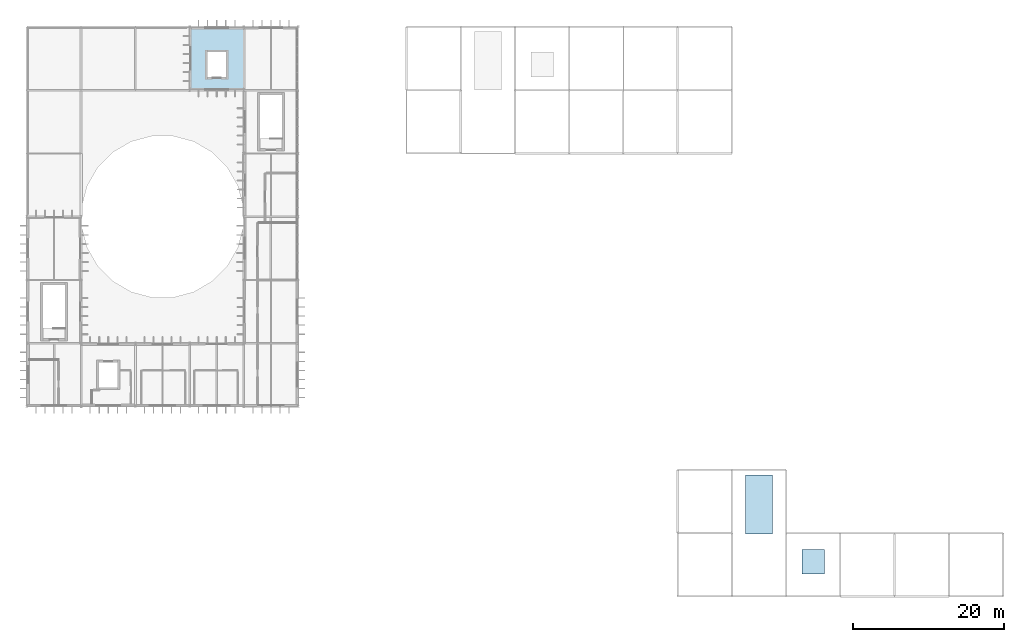
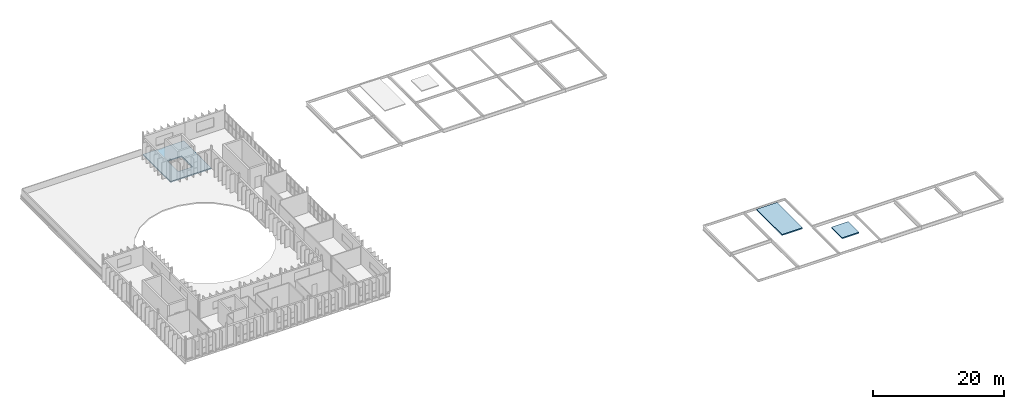
# One storey, part 13 of 18: 3 slabs.
"""IFC4 building model written with IfcOpenShell, lengths in metres."""

from ifc_helpers import new_model, si_unit, direction, frame, origin, place, context, subcontext, project, spatial, polyline, outline, extrude, material, layer, layer_set, type_object, element, save


model = new_model("IFC4")

# Units and contexts
model_context = context("Model", 3, precision=1e-05, world=origin(), true_north=direction((0.0, 1.0)))
body_context = subcontext(model_context, "Body", "Model", "MODEL_VIEW")
ifc_project = project(units=[si_unit("LENGTHUNIT", "METRE"), si_unit("AREAUNIT", "SQUARE_METRE"), si_unit("VOLUMEUNIT", "CUBIC_METRE"), si_unit("PLANEANGLEUNIT", "RADIAN"), si_unit("MASSUNIT", "GRAM", prefix="KILO")], contexts=[model_context])

# Site, building, storey
site_placement = place(None, origin())
site = spatial("IfcSite", under=ifc_project, at=site_placement, CompositionType="ELEMENT")
building_placement = place(site_placement, origin())
building = spatial("IfcBuilding", under=site, at=building_placement, Name="Qelthora Terrace Specialist Clinic", CompositionType="ELEMENT")
storey_placement = place(building_placement, frame((0.0, 0.0, 21.60009765625)))
storey = spatial("IfcBuildingStorey", under=building, at=storey_placement, Name="L05", CompositionType="ELEMENT", Elevation=21.60009765625)

# Slabs
ifc_material_1 = material(Name="Concrete C30/37", Category="concrete")
ifc_layer_1 = layer(ifc_material_1, 0.2099609375)
ifc_layer_set_1 = layer_set([ifc_layer_1], Name="Concrete C30/37")
slab_type_1 = type_object("IfcSlabType", Name="SLB-FLR-210-C30", PredefinedType="FLOOR", material=ifc_layer_set_1)
slab_1_placement = place(storey_placement, frame((0.0, 0.0, -0.210205078125)))
element("IfcSlab", 1, at=slab_1_placement, inside=storey, type_object=slab_type_1, Name="L05 V5 slab SLB-L05-V5B3", PredefinedType="FLOOR", context=body_context, shape_type="SweptSolid", body=[
    extrude(outline(polyline([(28.800048828125, 109.199951171875), (36.0, 109.199951171875), (36.0, 100.800048828125), (28.800048828125, 100.800048828125), (28.800048828125, 109.199951171875)]), holes=[polyline([(31.14990234375, 105.85009765625), (31.14990234375, 102.550048828125), (33.64990234375, 102.550048828125), (33.64990234375, 105.85009765625), (31.14990234375, 105.85009765625)])]), origin(), (0.0, 0.0, 1.0), 0.210205078125),
])
ifc_material_2 = material(Name="Concrete C40/50", Category="concrete")
ifc_layer_2 = layer(ifc_material_2, 0.199951171875)
ifc_layer_set_2 = layer_set([ifc_layer_2], Name="Concrete C40/50")
slab_type_2 = type_object("IfcSlabType", Name="SLB-SHAFTR-200-C40", PredefinedType="ROOF", material=ifc_layer_set_2)
slab_2_placement = place(storey_placement, frame((0.0, 0.0, -0.2001953125)))
element("IfcSlab", 2, at=slab_2_placement, inside=storey, type_object=slab_type_2, Name="ST-05 core roof slab", PredefinedType="ROOF", context=body_context, shape_type="SweptSolid", body=[
    extrude(outline(polyline([(102.60009765625, 41.89990234375), (106.199951171875, 41.89990234375), (106.199951171875, 49.699951171875), (102.60009765625, 49.699951171875), (102.60009765625, 41.89990234375)])), origin(), (0.0, 0.0, 1.0), 0.2001953125),
])
slab_3_placement = place(storey_placement, frame((0.0, 0.0, -0.2001953125)))
element("IfcSlab", 3, at=slab_3_placement, inside=storey, type_object=slab_type_2, Name="Lift PL-01 shaft overrun roof lid", PredefinedType="ROOF", context=body_context, shape_type="SweptSolid", body=[
    extrude(outline(polyline([(110.10009765625, 36.550048828125), (113.10009765625, 36.550048828125), (113.10009765625, 39.85009765625), (110.10009765625, 39.85009765625), (110.10009765625, 36.550048828125)])), origin(), (0.0, 0.0, 1.0), 0.2001953125),
])

save(model, "model.ifc")
